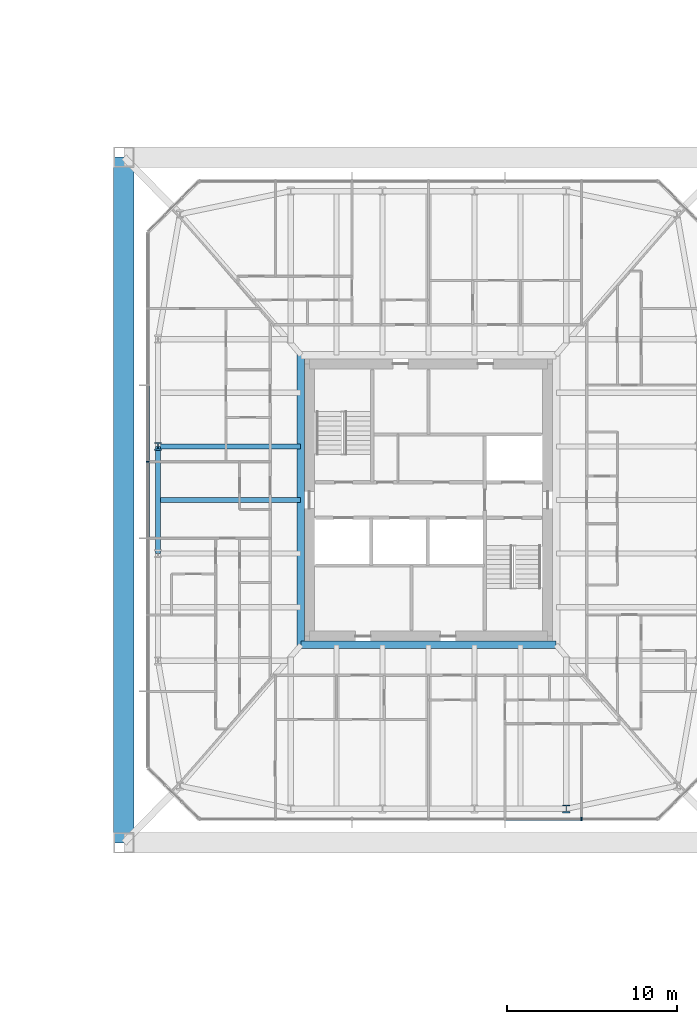
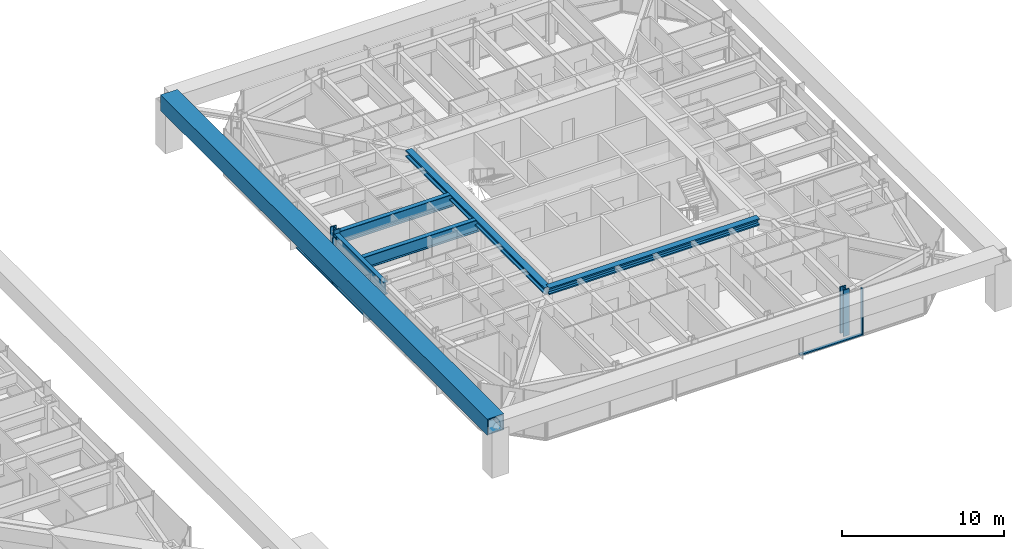
# One storey, part 14 of 32: 8 members, 5 beams, 2 elements without a shape of their own.
"""IFC4 building model written with IfcOpenShell, lengths in metres."""

from ifc_helpers import new_model, si_unit, direction, frame, origin, origin_2d, place, context, subcontext, project, spatial, rectangle, hollow_rectangle, i_section, extrude, material, material_profile, profile_set, type_object, element, aggregate, save


model = new_model("IFC4")

# Units and contexts
model_context = context("Model", 3, precision=1e-05, world=origin(), true_north=direction((0.0, 1.0)))
body_context = subcontext(model_context, "Body", "Model", "MODEL_VIEW")
ifc_project = project(units=[si_unit("LENGTHUNIT", "METRE"), si_unit("AREAUNIT", "SQUARE_METRE"), si_unit("VOLUMEUNIT", "CUBIC_METRE"), si_unit("PLANEANGLEUNIT", "RADIAN"), si_unit("MASSUNIT", "GRAM", prefix="KILO")], contexts=[model_context])

# Site, building, storey
site_placement = place(None, origin())
site = spatial("IfcSite", under=ifc_project, at=site_placement, CompositionType="ELEMENT")
building_placement = place(site_placement, origin())
building = spatial("IfcBuilding", under=site, at=building_placement, Name="Iwan Alto Co-Living Towers", CompositionType="ELEMENT")
storey_placement = place(building_placement, frame((0.0, 0.0, 71.0)))
storey = spatial("IfcBuildingStorey", under=building, at=storey_placement, Name="L19", CompositionType="ELEMENT", Elevation=71.0)

# Curtain wall, member
ifc_material_1 = material(Name="Bronze aluminium unitised frame", Category="aluminium")
curtain_wall_type = type_object("IfcCurtainWallType", Name="CURTAIN WALL CW-C", PredefinedType="NOTDEFINED", material=ifc_material_1)
curtain_wall_1_placement = place(storey_placement, origin())
curtain_wall_1 = element("IfcCurtainWall", 1, at=curtain_wall_1_placement, inside=storey, type_object=curtain_wall_type, Name="T2 curtain wall S L19", PredefinedType="NOTDEFINED")
ifc_material_2 = material(Name="Aluminium 6063-T6 bronze anodised", Category="aluminium")
ifc_material_profile_1 = material_profile(ifc_material_2, rectangle(XDim=0.199951171875, YDim=0.080078125, at=origin_2d()), Name="AL 80X200")
ifc_profile_set_1 = profile_set([ifc_material_profile_1], Name="Aluminium 6063-T6 bronze anodised")
member_type_1 = type_object("IfcMemberType", Name="CW-C MULLION 80X200", PredefinedType="MULLION", material=ifc_profile_set_1)
member_1_placement = place(storey_placement, frame((72.0, -18.75, 0.0), z_axis=(0.0, 0.0, 1.0), x_axis=(0.0, 1.0, 0.0)))
member_1 = element("IfcMember", 2, at=member_1_placement, type_object=member_type_1, Name="CW-C mullion 6", PredefinedType="MULLION", context=body_context, shape_type="SweptSolid", body=[
    extrude(rectangle(XDim=0.199951171875, YDim=0.080078125, at=origin_2d()), origin(), (0.0, 0.0, 1.0), 3.5),
])

curtain_wall_2_placement = place(storey_placement, origin())
curtain_wall_2 = element("IfcCurtainWall", 3, at=curtain_wall_2_placement, inside=storey, type_object=curtain_wall_type, Name="T2 curtain wall W L19", PredefinedType="NOTDEFINED")
member_2_placement = place(storey_placement, frame((46.5, 2.25, 0.0), z_axis=(0.0, 0.0, 1.0), x_axis=(1.0, 0.0, 0.0)))
member_2 = element("IfcMember", 4, at=member_2_placement, type_object=member_type_1, Name="CW-C mullion 4", PredefinedType="MULLION", context=body_context, shape_type="SweptSolid", body=[
    extrude(rectangle(XDim=0.199951171875, YDim=0.080078125, at=origin_2d()), origin(), (0.0, 0.0, 1.0), 3.5),
])

# Member
ifc_material_3 = material(Name="Aluminium 6063-T6 bronze anodised", Category="aluminium")
ifc_material_profile_2 = material_profile(ifc_material_3, rectangle(XDim=0.199951171875, YDim=0.10009765625, at=origin_2d()), Name="AL 200X100")
ifc_profile_set_2 = profile_set([ifc_material_profile_2], Name="Aluminium 6063-T6 bronze anodised")
member_type_2 = type_object("IfcMemberType", Name="CW-C TRANSOM 200X100", PredefinedType="USERDEFINED", material=ifc_profile_set_2)
member_3_placement = place(storey_placement, frame((67.5400390625, -18.75, 0.050048828125), z_axis=(1.0, 0.0, 0.0), x_axis=(0.0, 1.0, 0.0)))
member_3 = element("IfcMember", 5, at=member_3_placement, type_object=member_type_2, Name="CW-C transom 5.1", ObjectType="TRANSOM", PredefinedType="USERDEFINED", context=body_context, shape_type="SweptSolid", body=[
    extrude(rectangle(XDim=0.199951171875, YDim=0.10009765625, at=origin_2d()), origin(), (0.0, 0.0, 1.0), 4.419921875),
])

aggregate(curtain_wall_1, [member_1, member_3])

member_4_placement = place(storey_placement, frame((46.5, 6.7099609375, 0.050048828125), z_axis=(0.0, -1.0, 0.0), x_axis=(1.0, 0.0, 0.0)))
member_4 = element("IfcMember", 6, at=member_4_placement, type_object=member_type_2, Name="CW-C transom 3.1", ObjectType="TRANSOM", PredefinedType="USERDEFINED", context=body_context, shape_type="SweptSolid", body=[
    extrude(rectangle(XDim=0.199951171875, YDim=0.10009765625, at=origin_2d()), origin(), (0.0, 0.0, 1.0), 4.419921875),
])

member_5_placement = place(storey_placement, frame((46.5, 2.2099609375, 0.050048828125), z_axis=(0.0, -1.0, 0.0), x_axis=(1.0, 0.0, 0.0)))
member_5 = element("IfcMember", 7, at=member_5_placement, type_object=member_type_2, Name="CW-C transom 4.1", ObjectType="TRANSOM", PredefinedType="USERDEFINED", context=body_context, shape_type="SweptSolid", body=[
    extrude(rectangle(XDim=0.199951171875, YDim=0.10009765625, at=origin_2d()), origin(), (0.0, 0.0, 1.0), 4.419921875),
])

aggregate(curtain_wall_2, [member_2, member_4, member_5])

# Beams
ifc_material_4 = material(Name="Steel ASTM A992 Gr 50", Category="steel")
ifc_material_profile_3 = material_profile(ifc_material_4, i_section(OverallWidth=0.436767578125, OverallDepth=0.51318359375, WebThickness=0.060546875, FlangeThickness=0.096923828125, at=origin_2d()), Name="W14X550")
ifc_profile_set_3 = profile_set([ifc_material_profile_3], Name="Steel ASTM A992 Gr 50")
beam_type_1 = type_object("IfcBeamType", Name="T2 CORE LEDGER BEAM W14X550", PredefinedType="BEAM", material=ifc_profile_set_3)
beam_1_placement = place(storey_placement, frame((55.51220703125, -8.5185546875, 2.943359375), z_axis=(1.0, 0.0, 0.0), x_axis=(0.0, 1.0, 0.0)))
element("IfcBeam", 8, at=beam_1_placement, inside=storey, type_object=beam_type_1, Name="T2 core ledger beam S L20", PredefinedType="BEAM", context=body_context, shape_type="SweptSolid", body=[
    extrude(i_section(OverallWidth=0.436767578125, OverallDepth=0.51318359375, WebThickness=0.060546875, FlangeThickness=0.096923828125, at=origin_2d()), origin(), (0.0, 0.0, 1.0), 14.9755859375),
])
beam_2_placement = place(storey_placement, frame((55.4814453125, 8.553955078125, 2.943359375), z_axis=(0.0, -1.0, 0.0), x_axis=(1.0, 0.0, 0.0)))
element("IfcBeam", 9, at=beam_2_placement, inside=storey, type_object=beam_type_1, Name="T2 core ledger beam W L20", PredefinedType="BEAM", context=body_context, shape_type="SweptSolid", body=[
    extrude(i_section(OverallWidth=0.436767578125, OverallDepth=0.51318359375, WebThickness=0.060546875, FlangeThickness=0.096923828125, at=origin_2d()), origin(), (0.0, 0.0, 1.0), 17.10791015625),
])
ifc_material_5 = material(Name="Steel ASTM A992 Gr 50", Category="steel")
ifc_material_profile_4 = material_profile(ifc_material_5, i_section(OverallWidth=0.307373046875, OverallDepth=0.927001953125, WebThickness=0.01953125, FlangeThickness=0.031982421875, at=origin_2d()), Name="W36X194")
ifc_profile_set_4 = profile_set([ifc_material_profile_4], Name="Steel ASTM A992 Gr 50")
beam_type_2 = type_object("IfcBeamType", Name="T2 EDGE BEAM W36X194", PredefinedType="BEAM", material=ifc_profile_set_4)
beam_3_placement = place(storey_placement, frame((47.10009765625, 3.14990234375, 2.736328125), z_axis=(0.0, -1.0, 0.0), x_axis=(1.0, 0.0, 0.0)))
element("IfcBeam", 10, at=beam_3_placement, inside=storey, type_object=beam_type_2, Name="T2 edge beam W2 L20", PredefinedType="BEAM", context=body_context, shape_type="SweptSolid", body=[
    extrude(i_section(OverallWidth=0.307373046875, OverallDepth=0.927001953125, WebThickness=0.01953125, FlangeThickness=0.031982421875, at=origin_2d()), origin(), (0.0, 0.0, 1.0), 6.2998046875),
])

# Member
ifc_material_6 = material(Name="Steel ASTM A572 Gr 50", Category="steel")
ifc_material_profile_5 = material_profile(ifc_material_6, hollow_rectangle(XDim=1.199951171875, YDim=1.199951171875, WallThickness=0.070068359375, at=origin_2d()), Name="BOX 1200X1200X70")
ifc_profile_set_5 = profile_set([ifc_material_profile_5], Name="Steel ASTM A572 Gr 50")
member_type_3 = type_object("IfcMemberType", Name="T2 MEGA BELT TIE BOX 1200X1200X70", PredefinedType="STRUT", material=ifc_profile_set_5)
member_6_placement = place(storey_placement, frame((45.10009765625, 20.14990234375, 3.5), z_axis=(0.0, -1.0, 0.0), x_axis=(1.0, 0.0, 0.0)))
element("IfcMember", 11, at=member_6_placement, inside=storey, type_object=member_type_3, Name="T2 mega belt tie W L20", PredefinedType="STRUT", context=body_context, shape_type="SweptSolid", body=[
    extrude(hollow_rectangle(XDim=1.199951171875, YDim=1.199951171875, WallThickness=0.070068359375, at=origin_2d()), origin(), (0.0, 0.0, 1.0), 40.2998046875),
])

# Beam
ifc_material_7 = material(Name="Steel ASTM A992 Gr 50", Category="steel")
ifc_material_profile_6 = material_profile(ifc_material_7, i_section(OverallWidth=0.307373046875, OverallDepth=0.927001953125, WebThickness=0.01953125, FlangeThickness=0.031982421875, at=origin_2d()), Name="W36X194")
ifc_profile_set_6 = profile_set([ifc_material_profile_6], Name="Steel ASTM A992 Gr 50")
beam_type_3 = type_object("IfcBeamType", Name="T2 RADIAL BEAM W36X194", PredefinedType="BEAM", material=ifc_profile_set_6)
beam_4_placement = place(storey_placement, frame((47.10009765625, 3.14990234375, 2.736328125), z_axis=(1.0, 0.0, 0.0), x_axis=(0.0, 1.0, 0.0)))
element("IfcBeam", 12, at=beam_4_placement, inside=storey, type_object=beam_type_3, Name="T2 radial beam W2 L20", PredefinedType="BEAM", context=body_context, shape_type="SweptSolid", body=[
    extrude(i_section(OverallWidth=0.307373046875, OverallDepth=0.927001953125, WebThickness=0.01953125, FlangeThickness=0.031982421875, at=origin_2d()), origin(), (0.0, 0.0, 1.0), 8.38134765625),
])

# Members
ifc_material_8 = material(Name="Steel ASTM A992 Gr 50", Category="steel")
ifc_material_profile_7 = material_profile(ifc_material_8, i_section(OverallWidth=0.424072265625, OverallDepth=0.47509765625, WebThickness=0.0478515625, FlangeThickness=0.0771484375, at=origin_2d()), Name="W14X426")
ifc_profile_set_7 = profile_set([ifc_material_profile_7], Name="Steel ASTM A992 Gr 50")
member_type_4 = type_object("IfcMemberType", Name="T2 RING POST AT STEP W14X426", PredefinedType="MEMBER", material=ifc_profile_set_7)
for number, where, z_axis, x_axis, name in (
    (13, (71.10009765625, -18.14990234375, 0.0), (0.0, 0.0, 1.0), (1.0, 0.0, 0.0), "T2 ring post at step S4 L19"),
    (14, (47.10009765625, 3.14990234375, 0.0), (0.0, 0.0, 1.0), (1.0, 0.0, 0.0), "T2 ring post at step W2 L19"),
):
    element("IfcMember", number, at=place(storey_placement, frame(where, z_axis=z_axis, x_axis=x_axis)), inside=storey, type_object=member_type_4, Name=name, PredefinedType="MEMBER", context=body_context, shape_type="SweptSolid", body=[
        extrude(i_section(OverallWidth=0.424072265625, OverallDepth=0.47509765625, WebThickness=0.0478515625, FlangeThickness=0.0771484375, at=origin_2d()), origin(), (0.0, 0.0, 1.0), 3.5),
    ])

# Beam
ifc_material_9 = material(Name="Steel ASTM A992 Gr 50", Category="steel")
ifc_material_profile_8 = material_profile(ifc_material_9, i_section(OverallWidth=0.307373046875, OverallDepth=0.927001953125, WebThickness=0.01953125, FlangeThickness=0.031982421875, at=origin_2d()), Name="W36X194")
ifc_profile_set_8 = profile_set([ifc_material_profile_8], Name="Steel ASTM A992 Gr 50")
beam_type_4 = type_object("IfcBeamType", Name="T2 SECONDARY BEAM W36X194", PredefinedType="JOIST", material=ifc_profile_set_8)
beam_5_placement = place(storey_placement, frame((47.10009765625, 0.0, 2.736328125), z_axis=(1.0, 0.0, 0.0), x_axis=(0.0, 1.0, 0.0)))
element("IfcBeam", 15, at=beam_5_placement, inside=storey, type_object=beam_type_4, Name="T2 secondary beam W2 L20", PredefinedType="JOIST", context=body_context, shape_type="SweptSolid", body=[
    extrude(i_section(OverallWidth=0.307373046875, OverallDepth=0.927001953125, WebThickness=0.01953125, FlangeThickness=0.031982421875, at=origin_2d()), origin(), (0.0, 0.0, 1.0), 8.38134765625),
])

save(model, "model.ifc")
